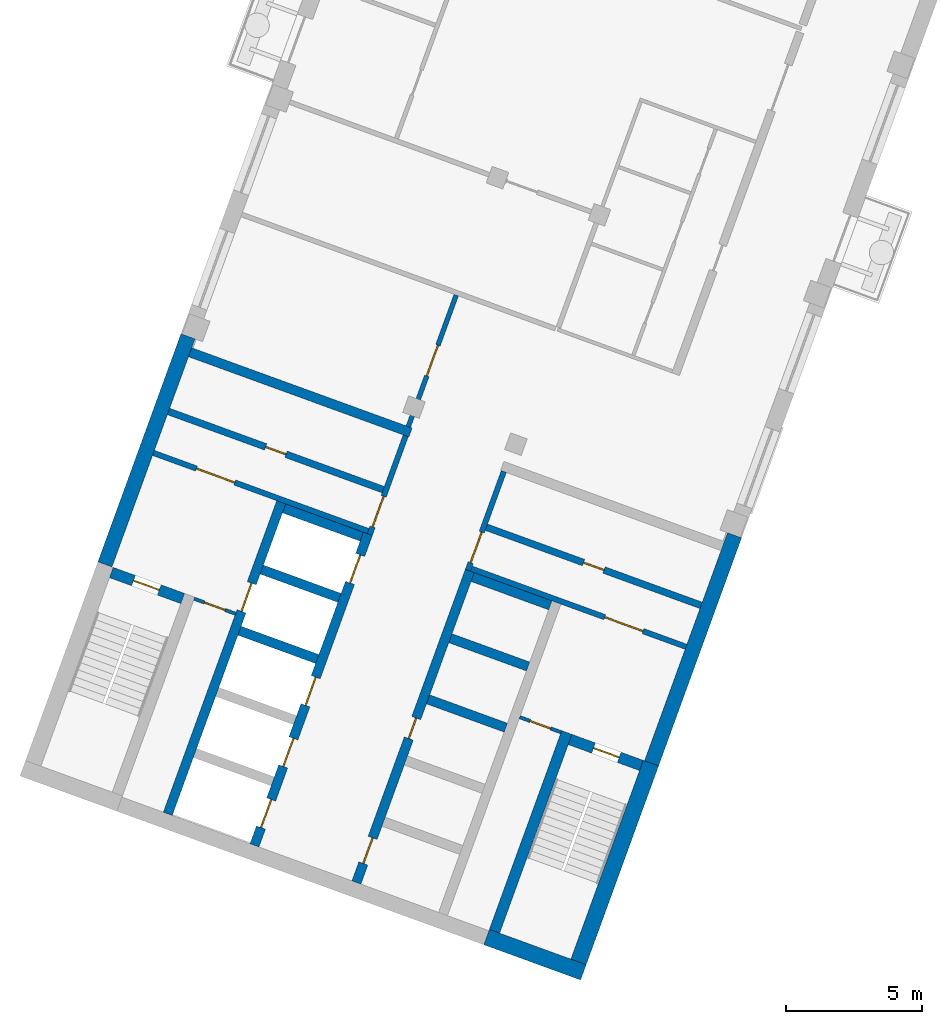
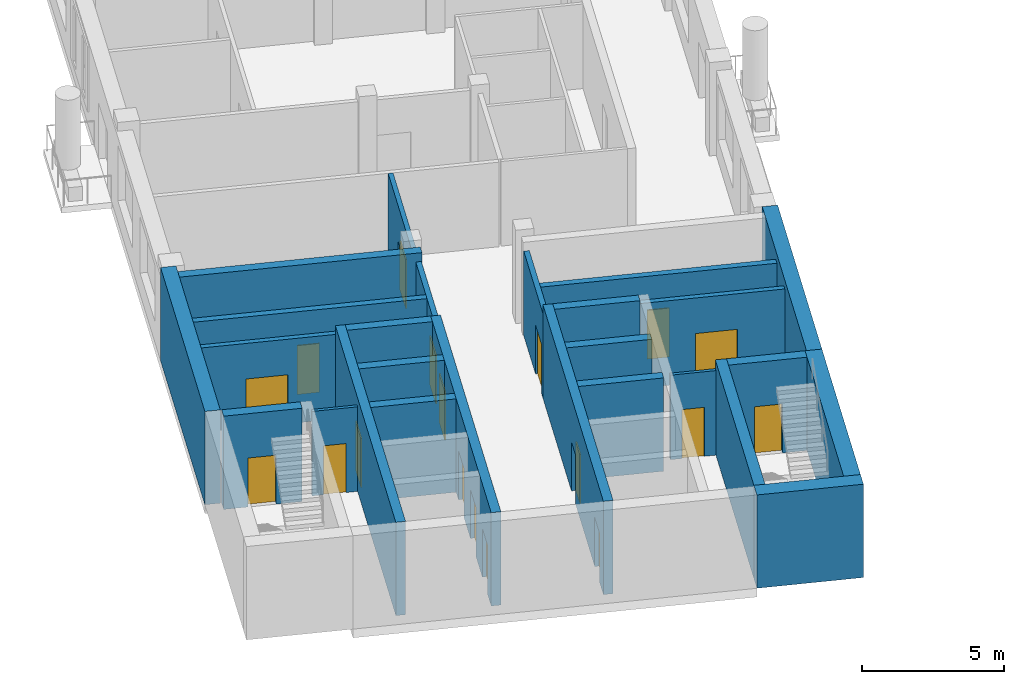
# One storey, part 2 of 10: 26 walls, 18 doors, 18 openings.
"""IFC4 building model written with IfcOpenShell, lengths in metres."""

import ifcopenshell
import ifcopenshell.guid

model = None  # the IFC model being written
_history = None  # IfcOwnerHistory: only IFC2X3 demands one
_inside = {}  # id of a spatial element -> (the spatial element, [elements in it])
_under = {}  # id of a project, library or spatial element -> (it, [spatial elements below it])
_declared = {}  # id of a project -> (the project, [libraries it declares])
_typed = {}  # id of a type object -> (the type object, [elements of that type])
_made_of = {}  # id of a material, layer set ... -> (it, [elements and type objects made of it])


def new_model(schema):
    """Start an empty IFC model of exactly this schema.

    Asked for "IFC4X3", IfcOpenShell would pick the latest addendum, in which some entities
    have other attributes; the version numbers below select the first issue.
    IFC2X3 requires an IfcOwnerHistory on every rooted entity: one is made here for all.
    """
    global model, _history
    if schema == "IFC4X3":
        model = ifcopenshell.file(schema_version=(4, 3, 0, 0))
    else:
        model = ifcopenshell.file(schema=schema)
    _inside.clear()
    _under.clear()
    _declared.clear()
    _typed.clear()
    _made_of.clear()
    _history = None
    if model.schema == "IFC2X3":
        org = make("IfcOrganization", Name="unknown")
        user = make(
            "IfcPersonAndOrganization",
            ThePerson=make("IfcPerson", FamilyName="unknown"),
            TheOrganization=org,
        )
        app = make(
            "IfcApplication",
            ApplicationDeveloper=org,
            Version="unknown",
            ApplicationFullName="unknown",
            ApplicationIdentifier="unknown",
        )
        _history = make(
            "IfcOwnerHistory",
            OwningUser=user,
            OwningApplication=app,
            ChangeAction="ADDED",
            CreationDate=0,
        )
    return model


def make(cls, **values):
    """One entity of the class cls with the attributes given. An attribute that is None is left unset."""
    return model.create_entity(
        cls, **{name: value for name, value in values.items() if value is not None}
    )


def rooted(cls, **values):
    """An entity with a GlobalId (a new one), such as an element, a storey or a relation."""
    return make(cls, GlobalId=ifcopenshell.guid.new(), OwnerHistory=_history, **values)


def si_unit(unit_type, name, prefix=None):
    """IfcSIUnit, for example si_unit("LENGTHUNIT", "METRE", prefix="MILLI")."""
    return make("IfcSIUnit", UnitType=unit_type, Prefix=prefix, Name=name)


def assignment(units):
    """IfcUnitAssignment: the units of a project."""
    return None if units is None else make("IfcUnitAssignment", Units=units)


def point(xyz):
    """IfcCartesianPoint."""
    return None if xyz is None else make("IfcCartesianPoint", Coordinates=xyz)


def direction(xyz):
    """IfcDirection."""
    return None if xyz is None else make("IfcDirection", DirectionRatios=xyz)


def frame(location, z_axis=None, x_axis=None):
    """IfcAxis2Placement3D, a coordinate frame: its origin and axes. An axis left out is left unset."""
    return make(
        "IfcAxis2Placement3D",
        Location=point(location),
        Axis=direction(z_axis),
        RefDirection=direction(x_axis),
    )


def frame_2d(location, x_axis=None):
    """IfcAxis2Placement2D, a coordinate frame in the plane: its origin and x axis."""
    return make(
        "IfcAxis2Placement2D", Location=point(location), RefDirection=direction(x_axis)
    )


def origin():
    """The frame at (0, 0, 0) with its axes left unset."""
    return frame((0.0, 0.0, 0.0))


def place(relative_to, where):
    """IfcLocalPlacement: puts the frame where relative to a parent placement (None: the world)."""
    return make(
        "IfcLocalPlacement", PlacementRelTo=relative_to, RelativePlacement=where
    )


def context(
    kind, dimensions, precision=None, world=None, true_north=None, identifier=None
):
    """IfcGeometricRepresentationContext, for example the 3D "Model" context."""
    return make(
        "IfcGeometricRepresentationContext",
        ContextIdentifier=identifier,
        ContextType=kind,
        CoordinateSpaceDimension=dimensions,
        Precision=precision,
        WorldCoordinateSystem=world,
        TrueNorth=true_north,
    )


def subcontext(parent, identifier, kind, view, scale=None):
    """IfcGeometricRepresentationSubContext, for example "Body" below "Model"."""
    return make(
        "IfcGeometricRepresentationSubContext",
        ContextIdentifier=identifier,
        ContextType=kind,
        ParentContext=parent,
        TargetScale=scale,
        TargetView=view,
    )


def project(units=None, contexts=None):
    """IfcProject with its units and contexts."""
    return rooted(
        "IfcProject",
        Name="project",
        RepresentationContexts=contexts,
        UnitsInContext=assignment(units),
    )


def spatial(cls, under=None, at=None, **own):
    """A site, building, storey or space (cls), placed at a placement, below another one or the project."""
    s = rooted(cls, ObjectPlacement=at, **own)
    if under is not None:
        _under.setdefault(under.id(), (under, []))[1].append(s)
    return s


def profile(cls, at=None, kind="AREA", **sizes):
    """A parametric profile (cls). Its sizes go by their IFC names, for example OverallWidth=200.0."""
    return make(cls, ProfileType=kind, Position=at, **sizes)


def rectangle(**sizes):
    """IfcRectangleProfileDef."""
    return profile("IfcRectangleProfileDef", **sizes)


def extrude(swept, where, along, depth):
    """IfcExtrudedAreaSolid: the profile swept, set in the frame where, extruded along a direction by depth."""
    return make(
        "IfcExtrudedAreaSolid",
        SweptArea=swept,
        Position=where,
        ExtrudedDirection=direction(along),
        Depth=depth,
    )


def shape(context_of_items, identifier, shape_type, items):
    """IfcShapeRepresentation: the items that make up one representation, for example the "Body"."""
    return make(
        "IfcShapeRepresentation",
        ContextOfItems=context_of_items,
        RepresentationIdentifier=identifier,
        RepresentationType=shape_type,
        Items=items,
    )


def material(Name=None, Category=None):
    """IfcMaterial."""
    return make("IfcMaterial", Name=Name, Category=Category)


def layer(
    of_material, thickness, ventilated=None, Name=None, Category=None, Priority=None
):
    """IfcMaterialLayer: one layer of a wall or slab, of a material (None: an air gap)."""
    return make(
        "IfcMaterialLayer",
        Material=of_material,
        LayerThickness=thickness,
        IsVentilated=ventilated,
        Name=Name,
        Category=Category,
        Priority=Priority,
    )


def layer_set(layers, Name=None):
    """IfcMaterialLayerSet."""
    return make("IfcMaterialLayerSet", MaterialLayers=layers, LayerSetName=Name)


def made_of(thing, what):
    """Note that an element or type object is made of a material, layer set ...; save() writes the relation."""
    if what is not None:
        _made_of.setdefault(what.id(), (what, []))[1].append(thing)
    return thing


def type_object(cls, material=None, **own):
    """A type object (cls), such as IfcWallType, which elements share."""
    return made_of(rooted(cls, **own), material)


def element(
    cls,
    number,
    at=None,
    inside=None,
    cuts=None,
    type_object=None,
    material=None,
    context=None,
    identifier="Body",
    shape_type=None,
    held_by="IfcProductDefinitionShape",
    body=None,
    shapes=None,
    **own,
):
    """One element of the class cls, such as IfcWall. Its Tag is "e" and its number.

    at: its placement. inside: the storey or other place that contains it. cuts: it is an
    opening in that element (IfcRelVoidsElement). A single representation is given by context,
    identifier, shape_type and body (its items); several are given by shapes. held_by: the class
    of the entity that holds the representations. save() writes the other relations.
    """
    e = rooted(cls, Tag="e%d" % number, ObjectPlacement=at, **own)
    if body is not None:
        shapes = [shape(context, identifier, shape_type, body)]
    if shapes is not None:
        e.Representation = make(held_by, Representations=shapes)
    if inside is not None:
        _inside.setdefault(inside.id(), (inside, []))[1].append(e)
    if cuts is not None:
        rooted(
            "IfcRelVoidsElement", RelatingBuildingElement=cuts, RelatedOpeningElement=e
        )
    if type_object is not None:
        _typed.setdefault(type_object.id(), (type_object, []))[1].append(e)
    return made_of(e, material)


def fill(opening, filler):
    """IfcRelFillsElement: the door or window that sits in an opening."""
    return rooted(
        "IfcRelFillsElement",
        RelatingOpeningElement=opening,
        RelatedBuildingElement=filler,
    )


def aggregate(whole, parts):
    """IfcRelAggregates: a whole, such as a stair, and the parts it consists of."""
    return rooted("IfcRelAggregates", RelatingObject=whole, RelatedObjects=parts)


def save(model, path):
    """Write the relations noted so far, then the file.

    IfcRelAggregates (storeys below a building ...), IfcRelContainedInSpatialStructure (elements
    in a storey), IfcRelDefinesByType, IfcRelAssociatesMaterial and IfcRelDeclares: one each for
    every whole, place, type object, material and project.
    """
    for whole, parts in _under.values():
        aggregate(whole, parts)
    for where, things in _inside.values():
        rooted(
            "IfcRelContainedInSpatialStructure",
            RelatedElements=things,
            RelatingStructure=where,
        )
    for kind, things in _typed.values():
        rooted("IfcRelDefinesByType", RelatedObjects=things, RelatingType=kind)
    for what, things in _made_of.values():
        rooted("IfcRelAssociatesMaterial", RelatedObjects=things, RelatingMaterial=what)
    for by, libraries in _declared.values():
        rooted("IfcRelDeclares", RelatingContext=by, RelatedDefinitions=libraries)
    model.write(path)


model = new_model("IFC4")

# Units and contexts
model_context = context("Model", 3, precision=1e-05, world=origin(), true_north=direction((0.0, 1.0)))
body_context = subcontext(model_context, "Body", "Model", "MODEL_VIEW")
ifc_project = project(units=[si_unit("LENGTHUNIT", "METRE"), si_unit("AREAUNIT", "SQUARE_METRE"), si_unit("VOLUMEUNIT", "CUBIC_METRE"), si_unit("PLANEANGLEUNIT", "RADIAN"), si_unit("MASSUNIT", "GRAM", prefix="KILO")], contexts=[model_context])

# Site, building, storey
site_placement = place(None, origin())
site = spatial("IfcSite", under=ifc_project, at=site_placement, CompositionType="ELEMENT")
building_placement = place(site_placement, origin())
building = spatial("IfcBuilding", under=site, at=building_placement, Name="Skarvind Civic Tower", CompositionType="ELEMENT")
storey_placement = place(building_placement, frame((0.0, 0.0, 178.5)))
storey = spatial("IfcBuildingStorey", under=building, at=storey_placement, Name="L42", CompositionType="ELEMENT", Elevation=178.5)

# Wall, opening, door
ifc_material_1 = material(Name="Acoustic gypsum board on steel studs", Category="steel")
ifc_layer_1 = layer(ifc_material_1, 0.175048828125)
ifc_layer_set_1 = layer_set([ifc_layer_1], Name="ACOUSTIC MEETING-ROOM PARTITION 175")
wall_type_1 = type_object("IfcWallType", Name="ACOUSTIC MEETING-ROOM PARTITION 175", PredefinedType="PARTITIONING", material=ifc_layer_set_1)
wall_1_placement = place(storey_placement, frame((32.881103515625, 97.656982421875, 0.0), z_axis=(0.0, 0.0, 1.0), x_axis=(0.342058204353, 0.939678766832, 0.0)))
wall_1 = element("IfcWall", 1, at=wall_1_placement, inside=storey, type_object=wall_type_1, Name="Partition 42.006", PredefinedType="PARTITIONING", context=body_context, shape_type="SweptSolid", body=[
    extrude(rectangle(XDim=5.16259765625, YDim=0.175048828125, at=frame_2d((2.581298828125, 0.0))), origin(), (0.0, 0.0, 1.0), 3.625),
])
opening_1_placement = place(wall_1_placement, frame((1.9912109375, 0.0, 0.0)))
opening_1 = element("IfcOpeningElement", 2, at=opening_1_placement, cuts=wall_1, Name="Opening L42-D012", PredefinedType="OPENING", context=body_context, shape_type="SweptSolid", body=[
    extrude(rectangle(XDim=1.199951171875, YDim=2.10009765625, at=frame_2d((0.60009765625, 1.050048828125))), frame((0.0, 0.097412109375, 0.0), z_axis=(0.0, -1.0, 0.0), x_axis=(1.0, 0.0, 0.0)), (0.0, 0.0, 1.0), 0.195068359375),
])
ifc_material_2 = material(Name="Timber door leaf", Category="wood")
door_type_1 = type_object("IfcDoorType", Name="DOOR 1200X2100 DOUBLE TIMBER", OperationType="NOTDEFINED", PredefinedType="DOOR", material=ifc_material_2)
door_1_placement = place(opening_1_placement, origin())
door_1 = element("IfcDoor", 3, at=door_1_placement, inside=storey, type_object=door_type_1, Name="Door L42-D012", OperationType="DOUBLE_DOOR_SINGLE_SWING", OverallHeight=2.10009765625, OverallWidth=1.199951171875, PredefinedType="DOOR", context=body_context, shape_type="SweptSolid", body=[
    extrude(rectangle(XDim=1.199951171875, YDim=2.10009765625, at=frame_2d((0.60009765625, 1.050048828125))), frame((0.0, 0.02490234375, 0.0), z_axis=(0.0, -1.0, 0.0), x_axis=(1.0, 0.0, 0.0)), (0.0, 0.0, 1.0), 0.050048828125),
])
fill(opening_1, door_1)

ifc_material_3 = material(Name="Fire-rated masonry partition", Category="masonry")
ifc_layer_2 = layer(ifc_material_3, 0.199951171875)
ifc_layer_set_2 = layer_set([ifc_layer_2], Name="Core enclosure wall 200")
wall_type_2 = type_object("IfcWallType", Name="Core enclosure wall 200", PredefinedType="PARTITIONING", material=ifc_layer_set_2)
wall_2_placement = place(storey_placement, frame((31.45947265625, 93.67822265625, 0.0), z_axis=(0.0, 0.0, 1.0), x_axis=(0.341985870128, 0.939705094502, 0.0)))
wall_2 = element("IfcWall", 4, at=wall_2_placement, inside=storey, type_object=wall_type_2, Name="Core wall C2", PredefinedType="PARTITIONING", context=body_context, shape_type="SweptSolid", body=[
    extrude(rectangle(XDim=3.875, YDim=0.199951171875, at=frame_2d((1.9375, 0.0))), origin(), (0.0, 0.0, 1.0), 3.625),
])
opening_2_placement = place(wall_2_placement, frame((0.300048828125, 0.0, 0.0)))
opening_2 = element("IfcOpeningElement", 5, at=opening_2_placement, cuts=wall_2, Name="Opening D-L42-C2-07", PredefinedType="OPENING", context=body_context, shape_type="SweptSolid", body=[
    extrude(rectangle(XDim=1.199951171875, YDim=2.10009765625, at=frame_2d((0.60009765625, 1.050048828125))), frame((0.0, 0.10986328125, 0.0), z_axis=(0.0, -1.0, 0.0), x_axis=(1.0, 0.0, 0.0)), (0.0, 0.0, 1.0), 0.219970703125),
])
ifc_material_4 = material(Name="Fire-rated steel door", Category="steel")
door_type_2 = type_object("IfcDoorType", Name="Core lobby door 1200", OperationType="NOTDEFINED", PredefinedType="DOOR", material=ifc_material_4)
door_2_placement = place(opening_2_placement, origin())
door_2 = element("IfcDoor", 6, at=door_2_placement, inside=storey, type_object=door_type_2, Name="Fire door", OperationType="DOUBLE_DOOR_SINGLE_SWING", OverallHeight=2.10009765625, OverallWidth=1.199951171875, PredefinedType="DOOR", context=body_context, shape_type="SweptSolid", body=[
    extrude(rectangle(XDim=1.199951171875, YDim=2.10009765625, at=frame_2d((0.60009765625, 1.050048828125))), frame((0.0, 0.02490234375, 0.0), z_axis=(0.0, -1.0, 0.0), x_axis=(1.0, 0.0, 0.0)), (0.0, 0.0, 1.0), 0.050048828125),
])
fill(opening_2, door_2)

wall_3_placement = place(storey_placement, frame((23.482666015625, 96.68798828125, 0.0), z_axis=(0.0, 0.0, 1.0), x_axis=(0.939691007314, -0.342024576271, 0.0)))
wall_3 = element("IfcWall", 7, at=wall_3_placement, inside=storey, type_object=wall_type_2, Name="Core wall C2", PredefinedType="PARTITIONING", context=body_context, shape_type="SweptSolid", body=[
    extrude(rectangle(XDim=8.425048828125, YDim=0.199951171875, at=frame_2d((4.21240234375, 0.0))), origin(), (0.0, 0.0, 1.0), 3.625),
])
opening_3_placement = place(wall_3_placement, frame((1.6875, 0.0, 0.0)))
opening_3 = element("IfcOpeningElement", 8, at=opening_3_placement, cuts=wall_3, Name="Opening D-L42-C2-08", PredefinedType="OPENING", context=body_context, shape_type="SweptSolid", body=[
    extrude(rectangle(XDim=1.5, YDim=2.10009765625, at=frame_2d((0.75, 1.050048828125))), frame((0.0, 0.10986328125, 0.0), z_axis=(0.0, -1.0, 0.0), x_axis=(1.0, 0.0, 0.0)), (0.0, 0.0, 1.0), 0.219970703125),
])
door_type_3 = type_object("IfcDoorType", Name="Fire door 1500", OperationType="NOTDEFINED", PredefinedType="DOOR", material=ifc_material_4)
door_3_placement = place(opening_3_placement, origin())
door_3 = element("IfcDoor", 9, at=door_3_placement, inside=storey, type_object=door_type_3, Name="Fire door", OperationType="DOUBLE_DOOR_SINGLE_SWING", OverallHeight=2.10009765625, OverallWidth=1.5, PredefinedType="DOOR", context=body_context, shape_type="SweptSolid", body=[
    extrude(rectangle(XDim=1.5, YDim=2.10009765625, at=frame_2d((0.75, 1.050048828125))), frame((0.0, 0.02490234375, 0.0), z_axis=(0.0, -1.0, 0.0), x_axis=(1.0, 0.0, 0.0)), (0.0, 0.0, 1.0), 0.050048828125),
])
fill(opening_3, door_3)

wall_4_placement = place(storey_placement, frame((36.402587890625, 96.0029296875, 0.0), z_axis=(0.0, 0.0, 1.0), x_axis=(-0.342041503764, -0.939684845947, 0.0)))
wall_4 = element("IfcWall", 10, at=wall_4_placement, inside=storey, type_object=wall_type_2, Name="Core wall C2", PredefinedType="PARTITIONING", context=body_context, shape_type="SweptSolid", body=[
    extrude(rectangle(XDim=3.875, YDim=0.199951171875, at=frame_2d((1.9375, 0.0))), origin(), (0.0, 0.0, 1.0), 3.625),
])
opening_4_placement = place(wall_4_placement, frame((2.375, 0.0, 0.0)))
opening_4 = element("IfcOpeningElement", 11, at=opening_4_placement, cuts=wall_4, Name="Opening D-L42-C2-12", PredefinedType="OPENING", context=body_context, shape_type="SweptSolid", body=[
    extrude(rectangle(XDim=1.199951171875, YDim=2.10009765625, at=frame_2d((0.60009765625, 1.050048828125))), frame((0.0, 0.10986328125, 0.0), z_axis=(0.0, -1.0, 0.0), x_axis=(1.0, 0.0, 0.0)), (0.0, 0.0, 1.0), 0.219970703125),
])
door_4_placement = place(opening_4_placement, origin())
door_4 = element("IfcDoor", 12, at=door_4_placement, inside=storey, type_object=door_type_2, Name="Fire door", OperationType="DOUBLE_DOOR_SINGLE_SWING", OverallHeight=2.10009765625, OverallWidth=1.199951171875, PredefinedType="DOOR", context=body_context, shape_type="SweptSolid", body=[
    extrude(rectangle(XDim=1.199951171875, YDim=2.10009765625, at=frame_2d((0.60009765625, 1.050048828125))), frame((0.0, 0.02490234375, 0.0), z_axis=(0.0, -1.0, 0.0), x_axis=(1.0, 0.0, 0.0)), (0.0, 0.0, 1.0), 0.050048828125),
])
fill(opening_4, door_4)

wall_5_placement = place(storey_placement, frame((35.205322265625, 92.42138671875, 0.0), z_axis=(0.0, 0.0, 1.0), x_axis=(0.939691007314, -0.342024576271, 0.0)))
wall_5 = element("IfcWall", 13, at=wall_5_placement, inside=storey, type_object=wall_type_2, Name="Core wall C2", PredefinedType="PARTITIONING", context=body_context, shape_type="SweptSolid", body=[
    extrude(rectangle(XDim=8.425048828125, YDim=0.199951171875, at=frame_2d((4.21240234375, 0.0))), origin(), (0.0, 0.0, 1.0), 3.625),
])
opening_5_placement = place(wall_5_placement, frame((5.237548828125, 0.0, 0.0)))
opening_5 = element("IfcOpeningElement", 14, at=opening_5_placement, cuts=wall_5, Name="Opening D-L42-C2-13", PredefinedType="OPENING", context=body_context, shape_type="SweptSolid", body=[
    extrude(rectangle(XDim=1.5, YDim=2.10009765625, at=frame_2d((0.75, 1.050048828125))), frame((0.0, 0.10986328125, 0.0), z_axis=(0.0, -1.0, 0.0), x_axis=(1.0, 0.0, 0.0)), (0.0, 0.0, 1.0), 0.219970703125),
])
door_5_placement = place(opening_5_placement, origin())
door_5 = element("IfcDoor", 15, at=door_5_placement, inside=storey, type_object=door_type_3, Name="Fire door", OperationType="DOUBLE_DOOR_SINGLE_SWING", OverallHeight=2.10009765625, OverallWidth=1.5, PredefinedType="DOOR", context=body_context, shape_type="SweptSolid", body=[
    extrude(rectangle(XDim=1.5, YDim=2.10009765625, at=frame_2d((0.75, 1.050048828125))), frame((0.0, 0.02490234375, 0.0), z_axis=(0.0, -1.0, 0.0), x_axis=(1.0, 0.0, 0.0)), (0.0, 0.0, 1.0), 0.050048828125),
])
fill(opening_5, door_5)

# Wall, openings, doors
ifc_material_5 = material(Name="Concrete C60", Category="concrete")
ifc_layer_3 = layer(ifc_material_5, 0.35009765625)
ifc_layer_set_3 = layer_set([ifc_layer_3], Name="Core wall 350 C60")
wall_type_3 = type_object("IfcWallType", Name="Core wall 350 C60", PredefinedType="SHEAR", material=ifc_layer_set_3)
wall_6_placement = place(storey_placement, frame((30.966552734375, 80.84814453125, 0.0), z_axis=(0.0, 0.0, 1.0), x_axis=(0.34201563943, 0.939694260058, 0.0)))
wall_6 = element("IfcWall", 16, at=wall_6_placement, inside=storey, type_object=wall_type_3, Name="Core wall C2 south lift row front L42", PredefinedType="SHEAR", context=body_context, shape_type="SweptSolid", body=[
    extrude(rectangle(XDim=12.22509765625, YDim=0.35009765625, at=frame_2d((6.112548828125, 0.0))), origin(), (0.0, 0.0, 1.0), 4.0),
])
opening_6_placement = place(wall_6_placement, frame((0.75, 0.0, 0.0)))
opening_6 = element("IfcOpeningElement", 17, at=opening_6_placement, cuts=wall_6, Name="Opening D-L42-C2-05", PredefinedType="OPENING", context=body_context, shape_type="SweptSolid", body=[
    extrude(rectangle(XDim=1.0, YDim=2.10009765625, at=frame_2d((0.5, 1.050048828125))), frame((0.0, 0.18505859375, 0.0), z_axis=(0.0, -1.0, 0.0), x_axis=(1.0, 0.0, 0.0)), (0.0, 0.0, 1.0), 0.3701171875),
])
opening_7_placement = place(wall_6_placement, frame((5.64990234375, 0.0, 0.0)))
opening_7 = element("IfcOpeningElement", 18, at=opening_7_placement, cuts=wall_6, Name="Opening D-L42-C2-06", PredefinedType="OPENING", context=body_context, shape_type="SweptSolid", body=[
    extrude(rectangle(XDim=0.800048828125, YDim=2.10009765625, at=frame_2d((0.39990234375, 1.050048828125))), frame((0.0, 0.18505859375, 0.0), z_axis=(0.0, -1.0, 0.0), x_axis=(1.0, 0.0, 0.0)), (0.0, 0.0, 1.0), 0.3701171875),
])
door_type_4 = type_object("IfcDoorType", Name="Core riser door 800", OperationType="NOTDEFINED", PredefinedType="DOOR", material=ifc_material_4)
door_6_placement = place(opening_7_placement, origin())
door_6 = element("IfcDoor", 19, at=door_6_placement, inside=storey, type_object=door_type_4, Name="Riser door", OperationType="SINGLE_SWING_RIGHT", OverallHeight=2.10009765625, OverallWidth=0.800048828125, PredefinedType="DOOR", context=body_context, shape_type="SweptSolid", body=[
    extrude(rectangle(XDim=0.800048828125, YDim=2.10009765625, at=frame_2d((0.39990234375, 1.050048828125))), frame((0.0, 0.02490234375, 0.0), z_axis=(0.0, -1.0, 0.0), x_axis=(1.0, 0.0, 0.0)), (0.0, 0.0, 1.0), 0.050048828125),
])
fill(opening_7, door_6)
door_type_5 = type_object("IfcDoorType", Name="Fire door 1000", OperationType="NOTDEFINED", PredefinedType="DOOR", material=ifc_material_4)
door_7_placement = place(opening_6_placement, origin())
door_7 = element("IfcDoor", 20, at=door_7_placement, inside=storey, type_object=door_type_5, Name="Fire door", OperationType="SINGLE_SWING_LEFT", OverallHeight=2.10009765625, OverallWidth=1.0, PredefinedType="DOOR", context=body_context, shape_type="SweptSolid", body=[
    extrude(rectangle(XDim=1.0, YDim=2.10009765625, at=frame_2d((0.5, 1.050048828125))), frame((0.0, 0.02490234375, 0.0), z_axis=(0.0, -1.0, 0.0), x_axis=(1.0, 0.0, 0.0)), (0.0, 0.0, 1.0), 0.050048828125),
])
fill(opening_6, door_7)

# Walls
for number, where, z_axis, x_axis, name in (
    (21, (36.4765625, 86.557861328125, 0.0), (0.0, 0.0, 1.0), (-0.939683528043, 0.3420451244, 0.0), "Core wall C2 south lift row division 3 L42"),
    (22, (37.297607421875, 88.813232421875, 0.0), (0.0, 0.0, 1.0), (-0.939692892192, 0.342019397644, 0.0), "Core wall C2 south lift row division 4 L42"),
    (23, (38.118408203125, 91.068359375, 0.0), (0.0, 0.0, 1.0), (-0.939692892192, 0.342019397644, 0.0), "Core wall C2 south lift row division 5 L42"),
):
    element("IfcWall", number, at=place(storey_placement, frame(where, z_axis=z_axis, x_axis=x_axis)), inside=storey, type_object=wall_type_3, Name=name, PredefinedType="SHEAR", context=body_context, shape_type="SweptSolid", body=[
        extrude(rectangle(XDim=3.050048828125, YDim=0.35009765625, at=frame_2d((1.52490234375, 0.0))), origin(), (0.0, 0.0, 1.0), 4.0),
    ])

# Wall, openings, doors
wall_7_placement = place(storey_placement, frame((27.207763671875, 82.21630859375, 0.0), z_axis=(0.0, 0.0, 1.0), x_axis=(0.34201563943, 0.939694260058, 0.0)))
wall_7 = element("IfcWall", 24, at=wall_7_placement, inside=storey, type_object=wall_type_3, Name="Core wall C2 north lift row front L42", PredefinedType="SHEAR", context=body_context, shape_type="SweptSolid", body=[
    extrude(rectangle(XDim=12.22509765625, YDim=0.35009765625, at=frame_2d((6.112548828125, 0.0))), origin(), (0.0, 0.0, 1.0), 4.0),
])
opening_8_placement = place(wall_7_placement, frame((0.699951171875, 0.0, 0.0)))
opening_8 = element("IfcOpeningElement", 25, at=opening_8_placement, cuts=wall_7, Name="Opening LD44201", PredefinedType="OPENING", context=body_context, shape_type="SweptSolid", body=[
    extrude(rectangle(XDim=1.10009765625, YDim=2.10009765625, at=frame_2d((0.550048828125, 1.050048828125))), frame((0.0, 0.18505859375, 0.0), z_axis=(0.0, -1.0, 0.0), x_axis=(1.0, 0.0, 0.0)), (0.0, 0.0, 1.0), 0.3701171875),
])
opening_9_placement = place(wall_7_placement, frame((3.10009765625, 0.0, 0.0)))
opening_9 = element("IfcOpeningElement", 26, at=opening_9_placement, cuts=wall_7, Name="Opening LD44202", PredefinedType="OPENING", context=body_context, shape_type="SweptSolid", body=[
    extrude(rectangle(XDim=1.10009765625, YDim=2.10009765625, at=frame_2d((0.550048828125, 1.050048828125))), frame((0.0, 0.18505859375, 0.0), z_axis=(0.0, -1.0, 0.0), x_axis=(1.0, 0.0, 0.0)), (0.0, 0.0, 1.0), 0.3701171875),
])
opening_10_placement = place(wall_7_placement, frame((5.5, 0.0, 0.0)))
opening_10 = element("IfcOpeningElement", 27, at=opening_10_placement, cuts=wall_7, Name="Opening LD44203", PredefinedType="OPENING", context=body_context, shape_type="SweptSolid", body=[
    extrude(rectangle(XDim=1.10009765625, YDim=2.10009765625, at=frame_2d((0.550048828125, 1.050048828125))), frame((0.0, 0.18505859375, 0.0), z_axis=(0.0, -1.0, 0.0), x_axis=(1.0, 0.0, 0.0)), (0.0, 0.0, 1.0), 0.3701171875),
])
opening_11_placement = place(wall_7_placement, frame((10.300048828125, 0.0, 0.0)))
opening_11 = element("IfcOpeningElement", 28, at=opening_11_placement, cuts=wall_7, Name="Opening LD44205", PredefinedType="OPENING", context=body_context, shape_type="SweptSolid", body=[
    extrude(rectangle(XDim=1.10009765625, YDim=2.10009765625, at=frame_2d((0.550048828125, 1.050048828125))), frame((0.0, 0.18505859375, 0.0), z_axis=(0.0, -1.0, 0.0), x_axis=(1.0, 0.0, 0.0)), (0.0, 0.0, 1.0), 0.3701171875),
])
ifc_material_6 = material(Name="Stainless steel landing door", Category="steel")
door_type_6 = type_object("IfcDoorType", Name="Lift landing door 1100", OperationType="DOUBLE_DOOR_SLIDING", PredefinedType="DOOR", material=ifc_material_6)
door_8_placement = place(opening_8_placement, origin())
door_8 = element("IfcDoor", 29, at=door_8_placement, inside=storey, type_object=door_type_6, Name="Lift landing door", OperationType="DOUBLE_DOOR_SLIDING", OverallHeight=2.10009765625, OverallWidth=1.10009765625, PredefinedType="DOOR", context=body_context, shape_type="SweptSolid", body=[
    extrude(rectangle(XDim=1.10009765625, YDim=2.10009765625, at=frame_2d((0.550048828125, 1.050048828125))), frame((0.0, 0.02490234375, 0.0), z_axis=(0.0, -1.0, 0.0), x_axis=(1.0, 0.0, 0.0)), (0.0, 0.0, 1.0), 0.050048828125),
])
fill(opening_8, door_8)
door_9_placement = place(opening_9_placement, origin())
door_9 = element("IfcDoor", 30, at=door_9_placement, inside=storey, type_object=door_type_6, Name="Lift landing door", OperationType="DOUBLE_DOOR_SLIDING", OverallHeight=2.10009765625, OverallWidth=1.10009765625, PredefinedType="DOOR", context=body_context, shape_type="SweptSolid", body=[
    extrude(rectangle(XDim=1.10009765625, YDim=2.10009765625, at=frame_2d((0.550048828125, 1.050048828125))), frame((0.0, 0.02490234375, 0.0), z_axis=(0.0, -1.0, 0.0), x_axis=(1.0, 0.0, 0.0)), (0.0, 0.0, 1.0), 0.050048828125),
])
fill(opening_9, door_9)
door_10_placement = place(opening_10_placement, origin())
door_10 = element("IfcDoor", 31, at=door_10_placement, inside=storey, type_object=door_type_6, Name="Lift landing door", OperationType="DOUBLE_DOOR_SLIDING", OverallHeight=2.10009765625, OverallWidth=1.10009765625, PredefinedType="DOOR", context=body_context, shape_type="SweptSolid", body=[
    extrude(rectangle(XDim=1.10009765625, YDim=2.10009765625, at=frame_2d((0.550048828125, 1.050048828125))), frame((0.0, 0.02490234375, 0.0), z_axis=(0.0, -1.0, 0.0), x_axis=(1.0, 0.0, 0.0)), (0.0, 0.0, 1.0), 0.050048828125),
])
fill(opening_10, door_10)
door_11_placement = place(opening_11_placement, origin())
door_11 = element("IfcDoor", 32, at=door_11_placement, inside=storey, type_object=door_type_6, Name="Lift landing door", OperationType="DOUBLE_DOOR_SLIDING", OverallHeight=2.10009765625, OverallWidth=1.10009765625, PredefinedType="DOOR", context=body_context, shape_type="SweptSolid", body=[
    extrude(rectangle(XDim=1.10009765625, YDim=2.10009765625, at=frame_2d((0.550048828125, 1.050048828125))), frame((0.0, 0.02490234375, 0.0), z_axis=(0.0, -1.0, 0.0), x_axis=(1.0, 0.0, 0.0)), (0.0, 0.0, 1.0), 0.050048828125),
])
fill(opening_11, door_11)

# Wall, opening, door
wall_8_placement = place(storey_placement, frame((24.0126953125, 83.379150390625, 0.0), z_axis=(0.0, 0.0, 1.0), x_axis=(0.34201563943, 0.939694260058, 0.0)))
wall_8 = element("IfcWall", 33, at=wall_8_placement, inside=storey, type_object=wall_type_3, Name="Core wall C2 north lift row back L42", PredefinedType="SHEAR", context=body_context, shape_type="SweptSolid", body=[
    extrude(rectangle(XDim=12.22509765625, YDim=0.35009765625, at=frame_2d((6.112548828125, 0.0))), origin(), (0.0, 0.0, 1.0), 4.0),
])
opening_12_placement = place(wall_8_placement, frame((7.949951171875, 0.0, 0.0)))
opening_12 = element("IfcOpeningElement", 34, at=opening_12_placement, cuts=wall_8, Name="Opening LD44204", PredefinedType="OPENING", context=body_context, shape_type="SweptSolid", body=[
    extrude(rectangle(XDim=1.10009765625, YDim=2.10009765625, at=frame_2d((0.550048828125, 1.050048828125))), frame((0.0, 0.18505859375, 0.0), z_axis=(0.0, -1.0, 0.0), x_axis=(1.0, 0.0, 0.0)), (0.0, 0.0, 1.0), 0.3701171875),
])
door_12_placement = place(opening_12_placement, origin())
door_12 = element("IfcDoor", 35, at=door_12_placement, inside=storey, type_object=door_type_6, Name="Lift landing door", OperationType="DOUBLE_DOOR_SLIDING", OverallHeight=2.10009765625, OverallWidth=1.10009765625, PredefinedType="DOOR", context=body_context, shape_type="SweptSolid", body=[
    extrude(rectangle(XDim=1.10009765625, YDim=2.10009765625, at=frame_2d((0.550048828125, 1.050048828125))), frame((0.0, 0.02490234375, 0.0), z_axis=(0.0, -1.0, 0.0), x_axis=(1.0, 0.0, 0.0)), (0.0, 0.0, 1.0), 0.050048828125),
])
fill(opening_12, door_12)

# Walls
wall_9_placement = place(storey_placement, frame((29.52294921875, 89.0888671875, 0.0), z_axis=(0.0, 0.0, 1.0), x_axis=(-0.939692892192, 0.342019397644, 0.0)))
element("IfcWall", 36, at=wall_9_placement, inside=storey, type_object=wall_type_3, Name="Core wall C2 north lift row division 3 L42", PredefinedType="SHEAR", context=body_context, shape_type="SweptSolid", body=[
    extrude(rectangle(XDim=3.050048828125, YDim=0.35009765625, at=frame_2d((1.52490234375, 0.0))), origin(), (0.0, 0.0, 1.0), 4.0),
])
wall_10_placement = place(storey_placement, frame((30.34375, 91.34423828125, 0.0), z_axis=(0.0, 0.0, 1.0), x_axis=(-0.939709254651, 0.341974438698, 0.0)))
element("IfcWall", 37, at=wall_10_placement, inside=storey, type_object=wall_type_3, Name="Core wall C2 north lift row division 4 L42", PredefinedType="SHEAR", context=body_context, shape_type="SweptSolid", body=[
    extrude(rectangle(XDim=3.0498046875, YDim=0.35009765625, at=frame_2d((1.52490234375, 0.0))), origin(), (0.0, 0.0, 1.0), 4.0),
])
wall_11_placement = place(storey_placement, frame((31.16455078125, 93.599365234375, 0.0), z_axis=(0.0, 0.0, 1.0), x_axis=(-0.939683528043, 0.3420451244, 0.0)))
element("IfcWall", 38, at=wall_11_placement, inside=storey, type_object=wall_type_3, Name="Core wall C2 north lift row division 5 L42", PredefinedType="SHEAR", context=body_context, shape_type="SweptSolid", body=[
    extrude(rectangle(XDim=3.050048828125, YDim=0.35009765625, at=frame_2d((1.52490234375, 0.0))), origin(), (0.0, 0.0, 1.0), 4.0),
])
wall_12_placement = place(storey_placement, frame((32.9619140625, 97.44140625, 0.0), z_axis=(0.0, 0.0, 1.0), x_axis=(-0.939689545667, 0.342028592028, 0.0)))
element("IfcWall", 39, at=wall_12_placement, inside=storey, type_object=wall_type_3, Name="Core wall C2 north inner face L42", PredefinedType="SHEAR", context=body_context, shape_type="SweptSolid", body=[
    extrude(rectangle(XDim=8.64990234375, YDim=0.35009765625, at=frame_2d((4.324951171875, 0.0))), origin(), (0.0, 0.0, 1.0), 4.0),
])
ifc_layer_4 = layer(ifc_material_5, 0.39990234375)
ifc_layer_set_4 = layer_set([ifc_layer_4], Name="Core wall 400 C60")
wall_type_4 = type_object("IfcWallType", Name="Core wall 400 C60", PredefinedType="SHEAR", material=ifc_layer_set_4)
wall_13_placement = place(storey_placement, frame((36.057861328125, 79.04833984375, 0.0), z_axis=(0.0, 0.0, 1.0), x_axis=(0.342016982193, 0.939693771338, 0.0)))
element("IfcWall", 40, at=wall_13_placement, inside=storey, type_object=wall_type_4, Name="Core wall C2 south stair inner L42", PredefinedType="SHEAR", context=body_context, shape_type="SweptSolid", body=[
    extrude(rectangle(XDim=7.800048828125, YDim=0.39990234375, at=frame_2d((3.89990234375, 0.0))), origin(), (0.0, 0.0, 1.0), 4.0),
])

# Wall, opening, door
wall_14_placement = place(storey_placement, frame((41.476318359375, 85.163818359375, 0.0), z_axis=(0.0, 0.0, 1.0), x_axis=(-0.939678810556, 0.342058084236, 0.0)))
wall_14 = element("IfcWall", 41, at=wall_14_placement, inside=storey, type_object=wall_type_4, Name="Core wall C2 south stair end L42", PredefinedType="SHEAR", context=body_context, shape_type="SweptSolid", body=[
    extrude(rectangle(XDim=2.800048828125, YDim=0.39990234375, at=frame_2d((1.39990234375, 0.0))), origin(), (0.0, 0.0, 1.0), 4.0),
])
opening_13_placement = place(wall_14_placement, frame((0.875, 0.0, 0.0)))
opening_13 = element("IfcOpeningElement", 42, at=opening_13_placement, cuts=wall_14, Name="Opening D-L42-C2-14", PredefinedType="OPENING", context=body_context, shape_type="SweptSolid", body=[
    extrude(rectangle(XDim=1.0, YDim=2.10009765625, at=frame_2d((0.5, 1.050048828125))), frame((0.0, 0.2099609375, 0.0), z_axis=(0.0, -1.0, 0.0), x_axis=(1.0, 0.0, 0.0)), (0.0, 0.0, 1.0), 0.419921875),
])
door_13_placement = place(opening_13_placement, origin())
door_13 = element("IfcDoor", 43, at=door_13_placement, inside=storey, type_object=door_type_5, Name="Fire door", OperationType="SINGLE_SWING_RIGHT", OverallHeight=2.10009765625, OverallWidth=1.0, PredefinedType="DOOR", context=body_context, shape_type="SweptSolid", body=[
    extrude(rectangle(XDim=1.0, YDim=2.10009765625, at=frame_2d((0.5, 1.050048828125))), frame((0.0, 0.02490234375, 0.0), z_axis=(0.0, -1.0, 0.0), x_axis=(1.0, 0.0, 0.0)), (0.0, 0.0, 1.0), 0.050048828125),
])
fill(opening_13, door_13)

wall_15_placement = place(storey_placement, frame((24.56201171875, 91.3203125, 0.0), z_axis=(0.0, 0.0, 1.0), x_axis=(-0.939717030584, 0.341953070509, 0.0)))
wall_15 = element("IfcWall", 44, at=wall_15_placement, inside=storey, type_object=wall_type_4, Name="Core wall C2 north stair end L42", PredefinedType="SHEAR", context=body_context, shape_type="SweptSolid", body=[
    extrude(rectangle(XDim=2.800048828125, YDim=0.39990234375, at=frame_2d((1.39990234375, 0.0))), origin(), (0.0, 0.0, 1.0), 4.0),
])
opening_14_placement = place(wall_15_placement, frame((0.925048828125, 0.0, 0.0)))
opening_14 = element("IfcOpeningElement", 45, at=opening_14_placement, cuts=wall_15, Name="Opening D-L42-C2-09", PredefinedType="OPENING", context=body_context, shape_type="SweptSolid", body=[
    extrude(rectangle(XDim=1.0, YDim=2.10009765625, at=frame_2d((0.5, 1.050048828125))), frame((0.0, 0.2099609375, 0.0), z_axis=(0.0, -1.0, 0.0), x_axis=(1.0, 0.0, 0.0)), (0.0, 0.0, 1.0), 0.419921875),
])
door_14_placement = place(opening_14_placement, origin())
door_14 = element("IfcDoor", 46, at=door_14_placement, inside=storey, type_object=door_type_5, Name="Fire door", OperationType="SINGLE_SWING_LEFT", OverallHeight=2.10009765625, OverallWidth=1.0, PredefinedType="DOOR", context=body_context, shape_type="SweptSolid", body=[
    extrude(rectangle(XDim=1.0, YDim=2.10009765625, at=frame_2d((0.5, 1.050048828125))), frame((0.0, 0.02490234375, 0.0), z_axis=(0.0, -1.0, 0.0), x_axis=(1.0, 0.0, 0.0)), (0.0, 0.0, 1.0), 0.050048828125),
])
fill(opening_14, door_14)

# Walls
ifc_layer_5 = layer(ifc_material_5, 0.550048828125)
ifc_layer_set_5 = layer_set([ifc_layer_5], Name="Core wall 550 C60")
wall_type_5 = type_object("IfcWallType", Name="Core wall 550 C60", PredefinedType="SHEAR", material=ifc_layer_set_5)
wall_16_placement = place(storey_placement, frame((41.85009765625, 85.24072265625, 0.0), z_axis=(0.0, 0.0, 1.0), x_axis=(0.34201902012, 0.939693029598, 0.0)))
element("IfcWall", 47, at=wall_16_placement, inside=storey, type_object=wall_type_5, Name="Core wall C2 south side L42", PredefinedType="SHEAR", context=body_context, shape_type="SweptSolid", body=[
    extrude(rectangle(XDim=8.949951171875, YDim=0.550048828125, at=frame_2d((4.47509765625, 0.0))), origin(), (0.0, 0.0, 1.0), 4.0),
])
wall_17_placement = place(storey_placement, frame((21.69384765625, 92.576904296875, 0.0), z_axis=(0.0, 0.0, 1.0), x_axis=(0.342010253184, 0.939696220444, 0.0)))
element("IfcWall", 48, at=wall_17_placement, inside=storey, type_object=wall_type_5, Name="Core wall C2 north side L42", PredefinedType="SHEAR", context=body_context, shape_type="SweptSolid", body=[
    extrude(rectangle(XDim=8.9501953125, YDim=0.550048828125, at=frame_2d((4.47509765625, 0.0))), origin(), (0.0, 0.0, 1.0), 4.0),
])
ifc_layer_6 = layer(ifc_material_5, 0.60009765625)
ifc_layer_set_6 = layer_set([ifc_layer_6], Name="Core wall 600 C60")
wall_type_6 = type_object("IfcWallType", Name="Core wall 600 C60", PredefinedType="SHEAR", material=ifc_layer_set_6)
wall_18_placement = place(storey_placement, frame((39.338134765625, 77.53515625, 0.0), z_axis=(0.0, 0.0, 1.0), x_axis=(-0.939701471648, 0.341995824804, 0.0)))
element("IfcWall", 49, at=wall_18_placement, inside=storey, type_object=wall_type_6, Name="Core wall C2 tip at the south stair L42", PredefinedType="SHEAR", context=body_context, shape_type="SweptSolid", body=[
    extrude(rectangle(XDim=3.800048828125, YDim=0.60009765625, at=frame_2d((1.89990234375, 0.0))), origin(), (0.0, 0.0, 1.0), 4.0),
])
wall_19_placement = place(storey_placement, frame((39.158935546875, 77.919677734375, 0.0), z_axis=(0.0, 0.0, 1.0), x_axis=(0.342016982193, 0.939693771338, 0.0)))
element("IfcWall", 50, at=wall_19_placement, inside=storey, type_object=wall_type_6, Name="Core wall C2 south side at the stair L42", PredefinedType="SHEAR", context=body_context, shape_type="SweptSolid", body=[
    extrude(rectangle(XDim=7.800048828125, YDim=0.60009765625, at=frame_2d((3.89990234375, 0.0))), origin(), (0.0, 0.0, 1.0), 4.0),
])

# Wall, opening, door
ifc_layer_7 = layer(ifc_material_3, 0.125)
ifc_layer_set_7 = layer_set([ifc_layer_7], Name="Riser wall 125")
wall_type_7 = type_object("IfcWallType", Name="Riser wall 125", PredefinedType="PARTITIONING", material=ifc_layer_set_7)
wall_20_placement = place(storey_placement, frame((24.98486328125, 91.3125, 0.0), z_axis=(0.0, 0.0, 1.0), x_axis=(0.939705651352, -0.341984340019, 0.0)))
wall_20 = element("IfcWall", 51, at=wall_20_placement, inside=storey, type_object=wall_type_7, Name="Core wall C2", PredefinedType="PARTITIONING", context=body_context, shape_type="SweptSolid", body=[
    extrude(rectangle(XDim=1.624755859375, YDim=0.125, at=frame_2d((0.8125, 0.0))), origin(), (0.0, 0.0, 1.0), 3.625),
])
opening_15_placement = place(wall_20_placement, frame((0.41259765625, 0.0, 0.0)))
opening_15 = element("IfcOpeningElement", 52, at=opening_15_placement, cuts=wall_20, Name="Opening D-L42-C2-10", PredefinedType="OPENING", context=body_context, shape_type="SweptSolid", body=[
    extrude(rectangle(XDim=0.800048828125, YDim=2.10009765625, at=frame_2d((0.39990234375, 1.050048828125))), frame((0.0, 0.072509765625, 0.0), z_axis=(0.0, -1.0, 0.0), x_axis=(1.0, 0.0, 0.0)), (0.0, 0.0, 1.0), 0.14501953125),
])
door_15_placement = place(opening_15_placement, origin())
door_15 = element("IfcDoor", 53, at=door_15_placement, inside=storey, type_object=door_type_4, Name="Riser door", OperationType="SINGLE_SWING_RIGHT", OverallHeight=2.10009765625, OverallWidth=0.800048828125, PredefinedType="DOOR", context=body_context, shape_type="SweptSolid", body=[
    extrude(rectangle(XDim=0.800048828125, YDim=2.10009765625, at=frame_2d((0.39990234375, 1.050048828125))), frame((0.0, 0.02490234375, 0.0), z_axis=(0.0, -1.0, 0.0), x_axis=(1.0, 0.0, 0.0)), (0.0, 0.0, 1.0), 0.050048828125),
])
fill(opening_15, door_15)

wall_21_placement = place(storey_placement, frame((36.989501953125, 86.943359375, 0.0), z_axis=(0.0, 0.0, 1.0), x_axis=(0.939657357267, -0.342117013511, 0.0)))
wall_21 = element("IfcWall", 54, at=wall_21_placement, inside=storey, type_object=wall_type_7, Name="Core wall C2", PredefinedType="PARTITIONING", context=body_context, shape_type="SweptSolid", body=[
    extrude(rectangle(XDim=1.625, YDim=0.125, at=frame_2d((0.8125, 0.0))), origin(), (0.0, 0.0, 1.0), 3.625),
])
opening_16_placement = place(wall_21_placement, frame((0.41259765625, 0.0, 0.0)))
opening_16 = element("IfcOpeningElement", 55, at=opening_16_placement, cuts=wall_21, Name="Opening D-L42-C2-15", PredefinedType="OPENING", context=body_context, shape_type="SweptSolid", body=[
    extrude(rectangle(XDim=0.800048828125, YDim=2.10009765625, at=frame_2d((0.39990234375, 1.050048828125))), frame((0.0, 0.072509765625, 0.0), z_axis=(0.0, -1.0, 0.0), x_axis=(1.0, 0.0, 0.0)), (0.0, 0.0, 1.0), 0.14501953125),
])
door_16_placement = place(opening_16_placement, origin())
door_16 = element("IfcDoor", 56, at=door_16_placement, inside=storey, type_object=door_type_4, Name="Riser door", OperationType="SINGLE_SWING_LEFT", OverallHeight=2.10009765625, OverallWidth=0.800048828125, PredefinedType="DOOR", context=body_context, shape_type="SweptSolid", body=[
    extrude(rectangle(XDim=0.800048828125, YDim=2.10009765625, at=frame_2d((0.39990234375, 1.050048828125))), frame((0.0, 0.02490234375, 0.0), z_axis=(0.0, -1.0, 0.0), x_axis=(1.0, 0.0, 0.0)), (0.0, 0.0, 1.0), 0.050048828125),
])
fill(opening_16, door_16)

ifc_layer_8 = layer(ifc_material_3, 0.25)
ifc_layer_set_8 = layer_set([ifc_layer_8], Name="Service block wall 250")
wall_type_8 = type_object("IfcWallType", Name="Service block wall 250", PredefinedType="PARTITIONING", material=ifc_layer_set_8)
wall_22_placement = place(storey_placement, frame((24.03857421875, 98.215087890625, 0.0), z_axis=(0.0, 0.0, 1.0), x_axis=(0.939687617333, -0.342033889887, 0.0)))
wall_22 = element("IfcWall", 57, at=wall_22_placement, inside=storey, type_object=wall_type_8, Name="Core wall C2", PredefinedType="PARTITIONING", context=body_context, shape_type="SweptSolid", body=[
    extrude(rectangle(XDim=8.4248046875, YDim=0.25, at=frame_2d((4.21240234375, 0.0))), origin(), (0.0, 0.0, 1.0), 3.625),
])
opening_17_placement = place(wall_22_placement, frame((3.8125, 0.0, 0.0)))
opening_17 = element("IfcOpeningElement", 58, at=opening_17_placement, cuts=wall_22, Name="Opening D-L42-C2-11", PredefinedType="OPENING", context=body_context, shape_type="SweptSolid", body=[
    extrude(rectangle(XDim=0.800048828125, YDim=2.10009765625, at=frame_2d((0.39990234375, 1.050048828125))), frame((0.0, 0.135009765625, 0.0), z_axis=(0.0, -1.0, 0.0), x_axis=(1.0, 0.0, 0.0)), (0.0, 0.0, 1.0), 0.27001953125),
])
door_17_placement = place(opening_17_placement, origin())
door_17 = element("IfcDoor", 59, at=door_17_placement, inside=storey, type_object=door_type_4, Name="Riser door", OperationType="SINGLE_SWING_LEFT", OverallHeight=2.10009765625, OverallWidth=0.800048828125, PredefinedType="DOOR", context=body_context, shape_type="SweptSolid", body=[
    extrude(rectangle(XDim=0.800048828125, YDim=2.10009765625, at=frame_2d((0.39990234375, 1.050048828125))), frame((0.0, 0.02490234375, 0.0), z_axis=(0.0, -1.0, 0.0), x_axis=(1.0, 0.0, 0.0)), (0.0, 0.0, 1.0), 0.050048828125),
])
fill(opening_17, door_17)

wall_23_placement = place(storey_placement, frame((35.76123046875, 93.9482421875, 0.0), z_axis=(0.0, 0.0, 1.0), x_axis=(0.93969693093, -0.342008301071, 0.0)))
wall_23 = element("IfcWall", 60, at=wall_23_placement, inside=storey, type_object=wall_type_8, Name="Core wall C2", PredefinedType="PARTITIONING", context=body_context, shape_type="SweptSolid", body=[
    extrude(rectangle(XDim=8.4248046875, YDim=0.25, at=frame_2d((4.21240234375, 0.0))), origin(), (0.0, 0.0, 1.0), 3.625),
])
opening_18_placement = place(wall_23_placement, frame((3.8125, 0.0, 0.0)))
opening_18 = element("IfcOpeningElement", 61, at=opening_18_placement, cuts=wall_23, Name="Opening D-L42-C2-16", PredefinedType="OPENING", context=body_context, shape_type="SweptSolid", body=[
    extrude(rectangle(XDim=0.800048828125, YDim=2.10009765625, at=frame_2d((0.39990234375, 1.050048828125))), frame((0.0, 0.135009765625, 0.0), z_axis=(0.0, -1.0, 0.0), x_axis=(1.0, 0.0, 0.0)), (0.0, 0.0, 1.0), 0.27001953125),
])
door_18_placement = place(opening_18_placement, origin())
door_18 = element("IfcDoor", 62, at=door_18_placement, inside=storey, type_object=door_type_4, Name="Riser door", OperationType="SINGLE_SWING_RIGHT", OverallHeight=2.10009765625, OverallWidth=0.800048828125, PredefinedType="DOOR", context=body_context, shape_type="SweptSolid", body=[
    extrude(rectangle(XDim=0.800048828125, YDim=2.10009765625, at=frame_2d((0.39990234375, 1.050048828125))), frame((0.0, 0.02490234375, 0.0), z_axis=(0.0, -1.0, 0.0), x_axis=(1.0, 0.0, 0.0)), (0.0, 0.0, 1.0), 0.050048828125),
])
fill(opening_18, door_18)

save(model, "model.ifc")
